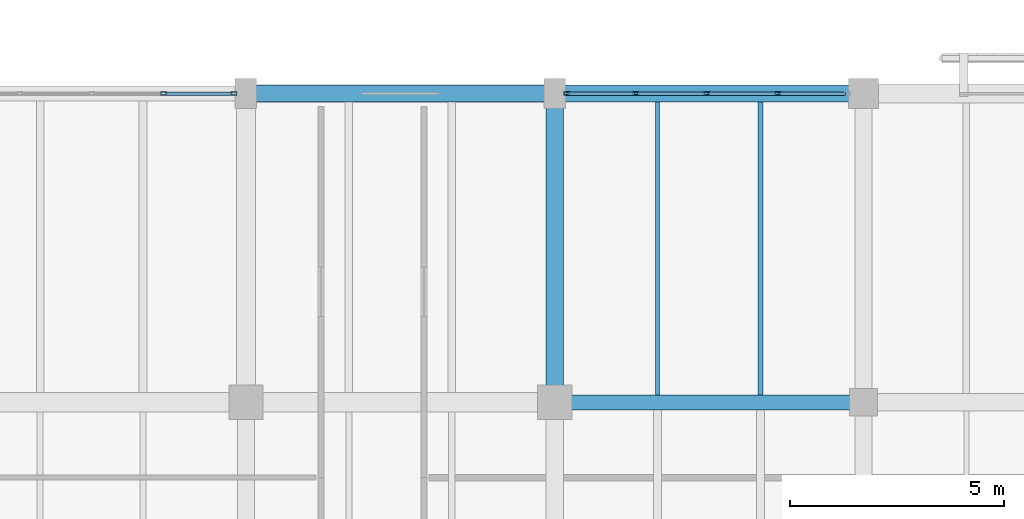
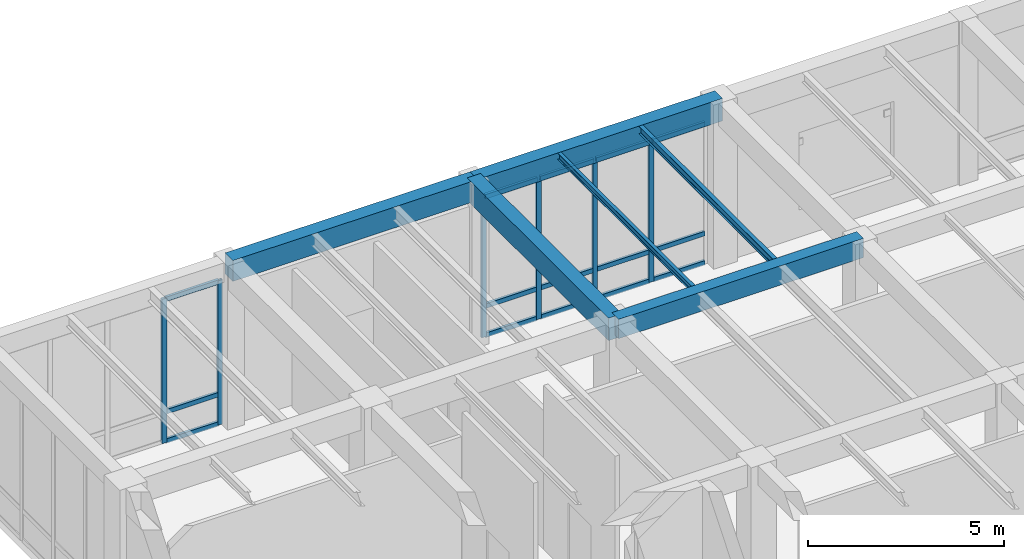
# One storey, part 104 of 169: 21 members, 6 beams, 2 elements without a shape of their own.
"""IFC4 building model written with IfcOpenShell, lengths in metres."""

import ifcopenshell
import ifcopenshell.guid

model = None  # the IFC model being written
_history = None  # IfcOwnerHistory: only IFC2X3 demands one
_inside = {}  # id of a spatial element -> (the spatial element, [elements in it])
_under = {}  # id of a project, library or spatial element -> (it, [spatial elements below it])
_declared = {}  # id of a project -> (the project, [libraries it declares])
_typed = {}  # id of a type object -> (the type object, [elements of that type])
_made_of = {}  # id of a material, layer set ... -> (it, [elements and type objects made of it])


def new_model(schema):
    """Start an empty IFC model of exactly this schema.

    Asked for "IFC4X3", IfcOpenShell would pick the latest addendum, in which some entities
    have other attributes; the version numbers below select the first issue.
    IFC2X3 requires an IfcOwnerHistory on every rooted entity: one is made here for all.
    """
    global model, _history
    if schema == "IFC4X3":
        model = ifcopenshell.file(schema_version=(4, 3, 0, 0))
    else:
        model = ifcopenshell.file(schema=schema)
    _inside.clear()
    _under.clear()
    _declared.clear()
    _typed.clear()
    _made_of.clear()
    _history = None
    if model.schema == "IFC2X3":
        org = make("IfcOrganization", Name="unknown")
        user = make(
            "IfcPersonAndOrganization",
            ThePerson=make("IfcPerson", FamilyName="unknown"),
            TheOrganization=org,
        )
        app = make(
            "IfcApplication",
            ApplicationDeveloper=org,
            Version="unknown",
            ApplicationFullName="unknown",
            ApplicationIdentifier="unknown",
        )
        _history = make(
            "IfcOwnerHistory",
            OwningUser=user,
            OwningApplication=app,
            ChangeAction="ADDED",
            CreationDate=0,
        )
    return model


def make(cls, **values):
    """One entity of the class cls with the attributes given. An attribute that is None is left unset."""
    return model.create_entity(
        cls, **{name: value for name, value in values.items() if value is not None}
    )


def rooted(cls, **values):
    """An entity with a GlobalId (a new one), such as an element, a storey or a relation."""
    return make(cls, GlobalId=ifcopenshell.guid.new(), OwnerHistory=_history, **values)


def si_unit(unit_type, name, prefix=None):
    """IfcSIUnit, for example si_unit("LENGTHUNIT", "METRE", prefix="MILLI")."""
    return make("IfcSIUnit", UnitType=unit_type, Prefix=prefix, Name=name)


def assignment(units):
    """IfcUnitAssignment: the units of a project."""
    return None if units is None else make("IfcUnitAssignment", Units=units)


def point(xyz):
    """IfcCartesianPoint."""
    return None if xyz is None else make("IfcCartesianPoint", Coordinates=xyz)


def direction(xyz):
    """IfcDirection."""
    return None if xyz is None else make("IfcDirection", DirectionRatios=xyz)


def frame(location, z_axis=None, x_axis=None):
    """IfcAxis2Placement3D, a coordinate frame: its origin and axes. An axis left out is left unset."""
    return make(
        "IfcAxis2Placement3D",
        Location=point(location),
        Axis=direction(z_axis),
        RefDirection=direction(x_axis),
    )


def frame_2d(location, x_axis=None):
    """IfcAxis2Placement2D, a coordinate frame in the plane: its origin and x axis."""
    return make(
        "IfcAxis2Placement2D", Location=point(location), RefDirection=direction(x_axis)
    )


def origin():
    """The frame at (0, 0, 0) with its axes left unset."""
    return frame((0.0, 0.0, 0.0))


def origin_2d():
    """The frame at (0, 0) in the plane with its x axis left unset."""
    return frame_2d((0.0, 0.0))


def place(relative_to, where):
    """IfcLocalPlacement: puts the frame where relative to a parent placement (None: the world)."""
    return make(
        "IfcLocalPlacement", PlacementRelTo=relative_to, RelativePlacement=where
    )


def context(
    kind, dimensions, precision=None, world=None, true_north=None, identifier=None
):
    """IfcGeometricRepresentationContext, for example the 3D "Model" context."""
    return make(
        "IfcGeometricRepresentationContext",
        ContextIdentifier=identifier,
        ContextType=kind,
        CoordinateSpaceDimension=dimensions,
        Precision=precision,
        WorldCoordinateSystem=world,
        TrueNorth=true_north,
    )


def subcontext(parent, identifier, kind, view, scale=None):
    """IfcGeometricRepresentationSubContext, for example "Body" below "Model"."""
    return make(
        "IfcGeometricRepresentationSubContext",
        ContextIdentifier=identifier,
        ContextType=kind,
        ParentContext=parent,
        TargetScale=scale,
        TargetView=view,
    )


def project(units=None, contexts=None):
    """IfcProject with its units and contexts."""
    return rooted(
        "IfcProject",
        Name="project",
        RepresentationContexts=contexts,
        UnitsInContext=assignment(units),
    )


def spatial(cls, under=None, at=None, **own):
    """A site, building, storey or space (cls), placed at a placement, below another one or the project."""
    s = rooted(cls, ObjectPlacement=at, **own)
    if under is not None:
        _under.setdefault(under.id(), (under, []))[1].append(s)
    return s


def profile(cls, at=None, kind="AREA", **sizes):
    """A parametric profile (cls). Its sizes go by their IFC names, for example OverallWidth=200.0."""
    return make(cls, ProfileType=kind, Position=at, **sizes)


def rectangle(**sizes):
    """IfcRectangleProfileDef."""
    return profile("IfcRectangleProfileDef", **sizes)


def hollow_rectangle(**sizes):
    """IfcRectangleHollowProfileDef."""
    return profile("IfcRectangleHollowProfileDef", **sizes)


def i_section(**sizes):
    """IfcIShapeProfileDef."""
    return profile("IfcIShapeProfileDef", **sizes)


def extrude(swept, where, along, depth):
    """IfcExtrudedAreaSolid: the profile swept, set in the frame where, extruded along a direction by depth."""
    return make(
        "IfcExtrudedAreaSolid",
        SweptArea=swept,
        Position=where,
        ExtrudedDirection=direction(along),
        Depth=depth,
    )


def shape(context_of_items, identifier, shape_type, items):
    """IfcShapeRepresentation: the items that make up one representation, for example the "Body"."""
    return make(
        "IfcShapeRepresentation",
        ContextOfItems=context_of_items,
        RepresentationIdentifier=identifier,
        RepresentationType=shape_type,
        Items=items,
    )


def material(Name=None, Category=None):
    """IfcMaterial."""
    return make("IfcMaterial", Name=Name, Category=Category)


def layer(
    of_material, thickness, ventilated=None, Name=None, Category=None, Priority=None
):
    """IfcMaterialLayer: one layer of a wall or slab, of a material (None: an air gap)."""
    return make(
        "IfcMaterialLayer",
        Material=of_material,
        LayerThickness=thickness,
        IsVentilated=ventilated,
        Name=Name,
        Category=Category,
        Priority=Priority,
    )


def layer_set(layers, Name=None):
    """IfcMaterialLayerSet."""
    return make("IfcMaterialLayerSet", MaterialLayers=layers, LayerSetName=Name)


def material_profile(
    of_material, cross_section, Name=None, Category=None, Priority=None
):
    """IfcMaterialProfile: a cross section and its material."""
    return make(
        "IfcMaterialProfile",
        Name=Name,
        Material=of_material,
        Profile=cross_section,
        Priority=Priority,
        Category=Category,
    )


def profile_set(profiles, Name=None, composite=None):
    """IfcMaterialProfileSet."""
    return make(
        "IfcMaterialProfileSet",
        Name=Name,
        MaterialProfiles=profiles,
        CompositeProfile=composite,
    )


def made_of(thing, what):
    """Note that an element or type object is made of a material, layer set ...; save() writes the relation."""
    if what is not None:
        _made_of.setdefault(what.id(), (what, []))[1].append(thing)
    return thing


def type_object(cls, material=None, **own):
    """A type object (cls), such as IfcWallType, which elements share."""
    return made_of(rooted(cls, **own), material)


def element(
    cls,
    number,
    at=None,
    inside=None,
    cuts=None,
    type_object=None,
    material=None,
    context=None,
    identifier="Body",
    shape_type=None,
    held_by="IfcProductDefinitionShape",
    body=None,
    shapes=None,
    **own,
):
    """One element of the class cls, such as IfcWall. Its Tag is "e" and its number.

    at: its placement. inside: the storey or other place that contains it. cuts: it is an
    opening in that element (IfcRelVoidsElement). A single representation is given by context,
    identifier, shape_type and body (its items); several are given by shapes. held_by: the class
    of the entity that holds the representations. save() writes the other relations.
    """
    e = rooted(cls, Tag="e%d" % number, ObjectPlacement=at, **own)
    if body is not None:
        shapes = [shape(context, identifier, shape_type, body)]
    if shapes is not None:
        e.Representation = make(held_by, Representations=shapes)
    if inside is not None:
        _inside.setdefault(inside.id(), (inside, []))[1].append(e)
    if cuts is not None:
        rooted(
            "IfcRelVoidsElement", RelatingBuildingElement=cuts, RelatedOpeningElement=e
        )
    if type_object is not None:
        _typed.setdefault(type_object.id(), (type_object, []))[1].append(e)
    return made_of(e, material)


def aggregate(whole, parts):
    """IfcRelAggregates: a whole, such as a stair, and the parts it consists of."""
    return rooted("IfcRelAggregates", RelatingObject=whole, RelatedObjects=parts)


def save(model, path):
    """Write the relations noted so far, then the file.

    IfcRelAggregates (storeys below a building ...), IfcRelContainedInSpatialStructure (elements
    in a storey), IfcRelDefinesByType, IfcRelAssociatesMaterial and IfcRelDeclares: one each for
    every whole, place, type object, material and project.
    """
    for whole, parts in _under.values():
        aggregate(whole, parts)
    for where, things in _inside.values():
        rooted(
            "IfcRelContainedInSpatialStructure",
            RelatedElements=things,
            RelatingStructure=where,
        )
    for kind, things in _typed.values():
        rooted("IfcRelDefinesByType", RelatedObjects=things, RelatingType=kind)
    for what, things in _made_of.values():
        rooted("IfcRelAssociatesMaterial", RelatedObjects=things, RelatingMaterial=what)
    for by, libraries in _declared.values():
        rooted("IfcRelDeclares", RelatingContext=by, RelatedDefinitions=libraries)
    model.write(path)


model = new_model("IFC4")

# Units and contexts
model_context = context("Model", 3, precision=1e-05, world=origin(), true_north=direction((0.0, 1.0)))
body_context = subcontext(model_context, "Body", "Model", "MODEL_VIEW")
ifc_project = project(units=[si_unit("LENGTHUNIT", "METRE"), si_unit("AREAUNIT", "SQUARE_METRE"), si_unit("VOLUMEUNIT", "CUBIC_METRE"), si_unit("PLANEANGLEUNIT", "RADIAN"), si_unit("MASSUNIT", "GRAM", prefix="KILO")], contexts=[model_context])

# Site, building, storey
site_placement = place(None, origin())
site = spatial("IfcSite", under=ifc_project, at=site_placement, CompositionType="ELEMENT")
building_placement = place(site_placement, origin())
building = spatial("IfcBuilding", under=site, at=building_placement, Name="Mazaris Harbour Polytechnic", CompositionType="ELEMENT")
storey_placement = place(building_placement, origin())
storey = spatial("IfcBuildingStorey", under=building, at=storey_placement, Name="L00", CompositionType="ELEMENT", Elevation=0.0)

# Curtain wall, members
ifc_material_1 = material(Name="Anodised Bronze Aluminium and Low-E Glass", Category="aluminium")
ifc_layer = layer(ifc_material_1, 0.169921875, Name="Anodised Bronze Aluminium and Low-E Glass")
ifc_layer_set = layer_set([ifc_layer], Name="Anodised Bronze Aluminium and Low-E Glass")
curtain_wall_type = type_object("IfcCurtainWallType", Name="Studio North-Light Curtain Wall", PredefinedType="NOTDEFINED", material=ifc_layer_set)
curtain_wall_1_placement = place(storey_placement, origin())
curtain_wall_1 = element("IfcCurtainWall", 1, at=curtain_wall_1_placement, inside=storey, type_object=curtain_wall_type, Name="V5 L00 Curtain Wall 183", PredefinedType="NOTDEFINED")
ifc_material_2 = material(Name="Anodised Bronze Steel S355", Category="steel")
ifc_material_profile_1 = material_profile(ifc_material_2, hollow_rectangle(XDim=0.080078125, YDim=0.139892578125, WallThickness=0.00634765625, at=origin_2d()), Name="RHS 80x140x6.3")
ifc_profile_set_1 = profile_set([ifc_material_profile_1], Name="Anodised Bronze Steel S355")
member_type_1 = type_object("IfcMemberType", Name="Curtain Mullion RHS80x140", PredefinedType="MULLION", material=ifc_profile_set_1)
member_1_placement = place(storey_placement, frame((127.678955078125, 108.0, 0.0), z_axis=(0.0, 0.0, 1.0), x_axis=(0.0, 1.0, 0.0)))
member_1 = element("IfcMember", 2, at=member_1_placement, type_object=member_type_1, Name="CW-03 mullion 4", PredefinedType="MULLION", context=body_context, shape_type="SweptSolid", body=[
    extrude(hollow_rectangle(XDim=0.080078125, YDim=0.139892578125, WallThickness=0.00634765625, at=origin_2d()), origin(), (0.0, 0.0, 1.0), 4.489990234375),
])
member_2_placement = place(storey_placement, frame((129.318115234375, 108.0, 0.0), z_axis=(0.0, 0.0, 1.0), x_axis=(0.0, 1.0, 0.0)))
member_2 = element("IfcMember", 3, at=member_2_placement, type_object=member_type_1, Name="CW-03 mullion 5", PredefinedType="MULLION", context=body_context, shape_type="SweptSolid", body=[
    extrude(hollow_rectangle(XDim=0.080078125, YDim=0.139892578125, WallThickness=0.00634765625, at=origin_2d()), origin(), (0.0, 0.0, 1.0), 4.489990234375),
])

curtain_wall_2_placement = place(storey_placement, origin())
curtain_wall_2 = element("IfcCurtainWall", 4, at=curtain_wall_2_placement, inside=storey, type_object=curtain_wall_type, Name="V5 L00 Curtain Wall 184", PredefinedType="NOTDEFINED")
member_3_placement = place(storey_placement, frame((137.08203125, 108.0, 0.0), z_axis=(0.0, 0.0, 1.0), x_axis=(0.0, 1.0, 0.0)))
member_3 = element("IfcMember", 5, at=member_3_placement, type_object=member_type_1, Name="CW-03 mullion 1", PredefinedType="MULLION", context=body_context, shape_type="SweptSolid", body=[
    extrude(hollow_rectangle(XDim=0.080078125, YDim=0.139892578125, WallThickness=0.00634765625, at=origin_2d()), origin(), (0.0, 0.0, 1.0), 4.389892578125),
])
member_4_placement = place(storey_placement, frame((138.696044921875, 108.0, 0.0), z_axis=(0.0, 0.0, 1.0), x_axis=(0.0, 1.0, 0.0)))
member_4 = element("IfcMember", 6, at=member_4_placement, type_object=member_type_1, Name="CW-03 mullion 2", PredefinedType="MULLION", context=body_context, shape_type="SweptSolid", body=[
    extrude(hollow_rectangle(XDim=0.080078125, YDim=0.139892578125, WallThickness=0.00634765625, at=origin_2d()), origin(), (0.0, 0.0, 1.0), 4.389892578125),
])
member_5_placement = place(storey_placement, frame((140.35009765625, 108.0, 0.0), z_axis=(0.0, 0.0, 1.0), x_axis=(0.0, 1.0, 0.0)))
member_5 = element("IfcMember", 7, at=member_5_placement, type_object=member_type_1, Name="CW-03 mullion 3", PredefinedType="MULLION", context=body_context, shape_type="SweptSolid", body=[
    extrude(hollow_rectangle(XDim=0.080078125, YDim=0.139892578125, WallThickness=0.00634765625, at=origin_2d()), origin(), (0.0, 0.0, 1.0), 4.389892578125),
])
member_6_placement = place(storey_placement, frame((142.00390625, 108.0, 0.0), z_axis=(0.0, 0.0, 1.0), x_axis=(0.0, 1.0, 0.0)))
member_6 = element("IfcMember", 8, at=member_6_placement, type_object=member_type_1, Name="CW-03 mullion 4", PredefinedType="MULLION", context=body_context, shape_type="SweptSolid", body=[
    extrude(hollow_rectangle(XDim=0.080078125, YDim=0.139892578125, WallThickness=0.00634765625, at=origin_2d()), origin(), (0.0, 0.0, 1.0), 4.389892578125),
])

# Member
ifc_material_3 = material(Name="Anodised Bronze Steel S355", Category="steel")
ifc_material_profile_2 = material_profile(ifc_material_3, hollow_rectangle(XDim=0.080078125, YDim=0.139892578125, WallThickness=0.00634765625, at=origin_2d()), Name="RHS 80x140x6.3")
ifc_profile_set_2 = profile_set([ifc_material_profile_2], Name="Anodised Bronze Steel S355")
member_type_2 = type_object("IfcMemberType", Name="Curtain Transom RHS80x140", PredefinedType="USERDEFINED", material=ifc_profile_set_2)
member_7_placement = place(storey_placement, frame((127.718994140625, 108.0, 0.0400390625), z_axis=(1.0, 0.0, 0.0), x_axis=(0.0, 1.0, 0.0)))
member_7 = element("IfcMember", 9, at=member_7_placement, type_object=member_type_2, Name="CW-03 transom 4.1", ObjectType="TRANSOM", PredefinedType="USERDEFINED", context=body_context, shape_type="SweptSolid", body=[
    extrude(hollow_rectangle(XDim=0.080078125, YDim=0.139892578125, WallThickness=0.00634765625, at=origin_2d()), origin(), (0.0, 0.0, 1.0), 1.55908203125),
])

member_8_placement = place(storey_placement, frame((127.718994140625, 108.0, 0.949951171875), z_axis=(1.0, 0.0, 0.0), x_axis=(0.0, 1.0, 0.0)))
member_8 = element("IfcMember", 10, at=member_8_placement, type_object=member_type_2, Name="CW-03 transom 4.2", ObjectType="TRANSOM", PredefinedType="USERDEFINED", context=body_context, shape_type="SweptSolid", body=[
    extrude(hollow_rectangle(XDim=0.080078125, YDim=0.139892578125, WallThickness=0.00634765625, at=origin_2d()), origin(), (0.0, 0.0, 1.0), 1.55908203125),
])

member_9_placement = place(storey_placement, frame((127.718994140625, 108.0, 4.449951171875), z_axis=(1.0, 0.0, 0.0), x_axis=(0.0, 1.0, 0.0)))
member_9 = element("IfcMember", 11, at=member_9_placement, type_object=member_type_2, Name="CW-03 transom 4.3", ObjectType="TRANSOM", PredefinedType="USERDEFINED", context=body_context, shape_type="SweptSolid", body=[
    extrude(hollow_rectangle(XDim=0.080078125, YDim=0.139892578125, WallThickness=0.00634765625, at=origin_2d()), origin(), (0.0, 0.0, 1.0), 1.55908203125),
])

aggregate(curtain_wall_1, [member_1, member_2, member_7, member_8, member_9])

member_10_placement = place(storey_placement, frame((137.1220703125, 108.0, 0.0400390625), z_axis=(1.0, 0.0, 0.0), x_axis=(0.0, 1.0, 0.0)))
member_10 = element("IfcMember", 12, at=member_10_placement, type_object=member_type_2, Name="CW-03 transom 1.1", ObjectType="TRANSOM", PredefinedType="USERDEFINED", context=body_context, shape_type="SweptSolid", body=[
    extrude(hollow_rectangle(XDim=0.080078125, YDim=0.139892578125, WallThickness=0.00634765625, at=origin_2d()), origin(), (0.0, 0.0, 1.0), 1.533935546875),
])

member_11_placement = place(storey_placement, frame((137.1220703125, 108.0, 0.949951171875), z_axis=(1.0, 0.0, 0.0), x_axis=(0.0, 1.0, 0.0)))
member_11 = element("IfcMember", 13, at=member_11_placement, type_object=member_type_2, Name="CW-03 transom 1.2", ObjectType="TRANSOM", PredefinedType="USERDEFINED", context=body_context, shape_type="SweptSolid", body=[
    extrude(hollow_rectangle(XDim=0.080078125, YDim=0.139892578125, WallThickness=0.00634765625, at=origin_2d()), origin(), (0.0, 0.0, 1.0), 1.533935546875),
])

member_12_placement = place(storey_placement, frame((137.1220703125, 108.0, 4.35009765625), z_axis=(1.0, 0.0, 0.0), x_axis=(0.0, 1.0, 0.0)))
member_12 = element("IfcMember", 14, at=member_12_placement, type_object=member_type_2, Name="CW-03 transom 1.3", ObjectType="TRANSOM", PredefinedType="USERDEFINED", context=body_context, shape_type="SweptSolid", body=[
    extrude(hollow_rectangle(XDim=0.080078125, YDim=0.139892578125, WallThickness=0.00634765625, at=origin_2d()), origin(), (0.0, 0.0, 1.0), 1.533935546875),
])

member_13_placement = place(storey_placement, frame((138.736083984375, 108.0, 0.0400390625), z_axis=(1.0, 0.0, 0.0), x_axis=(0.0, 1.0, 0.0)))
member_13 = element("IfcMember", 15, at=member_13_placement, type_object=member_type_2, Name="CW-03 transom 2.1", ObjectType="TRANSOM", PredefinedType="USERDEFINED", context=body_context, shape_type="SweptSolid", body=[
    extrude(hollow_rectangle(XDim=0.080078125, YDim=0.139892578125, WallThickness=0.00634765625, at=origin_2d()), origin(), (0.0, 0.0, 1.0), 1.573974609375),
])

member_14_placement = place(storey_placement, frame((138.736083984375, 108.0, 0.949951171875), z_axis=(1.0, 0.0, 0.0), x_axis=(0.0, 1.0, 0.0)))
member_14 = element("IfcMember", 16, at=member_14_placement, type_object=member_type_2, Name="CW-03 transom 2.2", ObjectType="TRANSOM", PredefinedType="USERDEFINED", context=body_context, shape_type="SweptSolid", body=[
    extrude(hollow_rectangle(XDim=0.080078125, YDim=0.139892578125, WallThickness=0.00634765625, at=origin_2d()), origin(), (0.0, 0.0, 1.0), 1.573974609375),
])

member_15_placement = place(storey_placement, frame((138.736083984375, 108.0, 4.35009765625), z_axis=(1.0, 0.0, 0.0), x_axis=(0.0, 1.0, 0.0)))
member_15 = element("IfcMember", 17, at=member_15_placement, type_object=member_type_2, Name="CW-03 transom 2.3", ObjectType="TRANSOM", PredefinedType="USERDEFINED", context=body_context, shape_type="SweptSolid", body=[
    extrude(hollow_rectangle(XDim=0.080078125, YDim=0.139892578125, WallThickness=0.00634765625, at=origin_2d()), origin(), (0.0, 0.0, 1.0), 1.573974609375),
])

member_16_placement = place(storey_placement, frame((140.389892578125, 108.0, 0.0400390625), z_axis=(1.0, 0.0, 0.0), x_axis=(0.0, 1.0, 0.0)))
member_16 = element("IfcMember", 18, at=member_16_placement, type_object=member_type_2, Name="CW-03 transom 3.1", ObjectType="TRANSOM", PredefinedType="USERDEFINED", context=body_context, shape_type="SweptSolid", body=[
    extrude(hollow_rectangle(XDim=0.080078125, YDim=0.139892578125, WallThickness=0.00634765625, at=origin_2d()), origin(), (0.0, 0.0, 1.0), 1.57421875),
])

member_17_placement = place(storey_placement, frame((140.389892578125, 108.0, 0.949951171875), z_axis=(1.0, 0.0, 0.0), x_axis=(0.0, 1.0, 0.0)))
member_17 = element("IfcMember", 19, at=member_17_placement, type_object=member_type_2, Name="CW-03 transom 3.2", ObjectType="TRANSOM", PredefinedType="USERDEFINED", context=body_context, shape_type="SweptSolid", body=[
    extrude(hollow_rectangle(XDim=0.080078125, YDim=0.139892578125, WallThickness=0.00634765625, at=origin_2d()), origin(), (0.0, 0.0, 1.0), 1.57421875),
])

member_18_placement = place(storey_placement, frame((140.389892578125, 108.0, 4.35009765625), z_axis=(1.0, 0.0, 0.0), x_axis=(0.0, 1.0, 0.0)))
member_18 = element("IfcMember", 20, at=member_18_placement, type_object=member_type_2, Name="CW-03 transom 3.3", ObjectType="TRANSOM", PredefinedType="USERDEFINED", context=body_context, shape_type="SweptSolid", body=[
    extrude(hollow_rectangle(XDim=0.080078125, YDim=0.139892578125, WallThickness=0.00634765625, at=origin_2d()), origin(), (0.0, 0.0, 1.0), 1.57421875),
])

member_19_placement = place(storey_placement, frame((142.0439453125, 108.0, 0.0400390625), z_axis=(1.0, 0.0, 0.0), x_axis=(0.0, 1.0, 0.0)))
member_19 = element("IfcMember", 21, at=member_19_placement, type_object=member_type_2, Name="CW-03 transom 4.1", ObjectType="TRANSOM", PredefinedType="USERDEFINED", context=body_context, shape_type="SweptSolid", body=[
    extrude(hollow_rectangle(XDim=0.080078125, YDim=0.139892578125, WallThickness=0.00634765625, at=origin_2d()), origin(), (0.0, 0.0, 1.0), 1.533935546875),
])

member_20_placement = place(storey_placement, frame((142.0439453125, 108.0, 0.949951171875), z_axis=(1.0, 0.0, 0.0), x_axis=(0.0, 1.0, 0.0)))
member_20 = element("IfcMember", 22, at=member_20_placement, type_object=member_type_2, Name="CW-03 transom 4.2", ObjectType="TRANSOM", PredefinedType="USERDEFINED", context=body_context, shape_type="SweptSolid", body=[
    extrude(hollow_rectangle(XDim=0.080078125, YDim=0.139892578125, WallThickness=0.00634765625, at=origin_2d()), origin(), (0.0, 0.0, 1.0), 1.533935546875),
])

member_21_placement = place(storey_placement, frame((142.0439453125, 108.0, 4.35009765625), z_axis=(1.0, 0.0, 0.0), x_axis=(0.0, 1.0, 0.0)))
member_21 = element("IfcMember", 23, at=member_21_placement, type_object=member_type_2, Name="CW-03 transom 4.3", ObjectType="TRANSOM", PredefinedType="USERDEFINED", context=body_context, shape_type="SweptSolid", body=[
    extrude(hollow_rectangle(XDim=0.080078125, YDim=0.139892578125, WallThickness=0.00634765625, at=origin_2d()), origin(), (0.0, 0.0, 1.0), 1.533935546875),
])

aggregate(curtain_wall_2, [member_3, member_4, member_5, member_6, member_10, member_11, member_12, member_13, member_14, member_15, member_16, member_17, member_18, member_19, member_20, member_21])

# Beams
ifc_material_4 = material(Name="Concrete C35/45", Category="concrete")
ifc_material_profile_3 = material_profile(ifc_material_4, rectangle(XDim=0.35009765625, YDim=0.60009765625, at=origin_2d()), Name="RECT350x600")
ifc_profile_set_3 = profile_set([ifc_material_profile_3], Name="Concrete C35/45")
beam_type_1 = type_object("IfcBeamType", Name="RC Girder 350x600", PredefinedType="BEAM", material=ifc_profile_set_3)
beam_1_placement = place(storey_placement, frame((136.800048828125, 100.800048828125, 4.800048828125), z_axis=(1.0, 0.0, 0.0), x_axis=(0.0, 1.0, 0.0)))
element("IfcBeam", 24, at=beam_1_placement, inside=storey, type_object=beam_type_1, Name="V5 L00 Girder 2745", PredefinedType="BEAM", context=body_context, shape_type="SweptSolid", body=[
    extrude(rectangle(XDim=0.35009765625, YDim=0.60009765625, at=origin_2d()), origin(), (0.0, 0.0, 1.0), 7.199951171875),
])
ifc_material_5 = material(Name="Concrete C35/45", Category="concrete")
ifc_material_profile_4 = material_profile(ifc_material_5, rectangle(XDim=0.39990234375, YDim=0.64990234375, at=origin_2d()), Name="RECT400x650")
ifc_profile_set_4 = profile_set([ifc_material_profile_4], Name="Concrete C35/45")
beam_type_2 = type_object("IfcBeamType", Name="RC Girder 400x650 Exterior", PredefinedType="BEAM", material=ifc_profile_set_4)
beam_2_placement = place(storey_placement, frame((129.60009765625, 108.0, 4.77490234375), z_axis=(1.0, 0.0, 0.0), x_axis=(0.0, 1.0, 0.0)))
element("IfcBeam", 25, at=beam_2_placement, inside=storey, type_object=beam_type_2, Name="V5 L00 Girder 2751", PredefinedType="BEAM", context=body_context, shape_type="SweptSolid", body=[
    extrude(rectangle(XDim=0.39990234375, YDim=0.64990234375, at=origin_2d()), origin(), (0.0, 0.0, 1.0), 7.199951171875),
])
ifc_material_6 = material(Name="Concrete C35/45", Category="concrete")
ifc_material_profile_5 = material_profile(ifc_material_6, rectangle(XDim=0.39990234375, YDim=0.699951171875, at=origin_2d()), Name="RECT400x700")
ifc_profile_set_5 = profile_set([ifc_material_profile_5], Name="Concrete C35/45")
beam_type_3 = type_object("IfcBeamType", Name="RC Girder 400x700", PredefinedType="BEAM", material=ifc_profile_set_5)
beam_3_placement = place(storey_placement, frame((136.800048828125, 100.800048828125, 4.75), z_axis=(0.0, 1.0, 0.0), x_axis=(-1.0, 0.0, 0.0)))
element("IfcBeam", 26, at=beam_3_placement, inside=storey, type_object=beam_type_3, Name="V5 L00 Tie Girder 2782", PredefinedType="BEAM", context=body_context, shape_type="SweptSolid", body=[
    extrude(rectangle(XDim=0.39990234375, YDim=0.699951171875, at=origin_2d()), origin(), (0.0, 0.0, 1.0), 7.199951171875),
])
ifc_material_7 = material(Name="Concrete C35/45", Category="concrete")
ifc_material_profile_6 = material_profile(ifc_material_7, rectangle(XDim=0.39990234375, YDim=0.699951171875, at=origin_2d()), Name="RECT400x700")
ifc_profile_set_6 = profile_set([ifc_material_profile_6], Name="Concrete C35/45")
beam_type_4 = type_object("IfcBeamType", Name="RC Girder 400x700 Exterior", PredefinedType="BEAM", material=ifc_profile_set_6)
beam_4_placement = place(storey_placement, frame((136.800048828125, 108.0, 4.75), z_axis=(1.0, 0.0, 0.0), x_axis=(0.0, 1.0, 0.0)))
element("IfcBeam", 27, at=beam_4_placement, inside=storey, type_object=beam_type_4, Name="V5 L00 Girder 2752", PredefinedType="BEAM", context=body_context, shape_type="SweptSolid", body=[
    extrude(rectangle(XDim=0.39990234375, YDim=0.699951171875, at=origin_2d()), origin(), (0.0, 0.0, 1.0), 7.199951171875),
])
ifc_material_8 = material(Name="Steel S355", Category="steel")
ifc_material_profile_7 = material_profile(ifc_material_8, i_section(OverallWidth=0.10009765625, OverallDepth=0.199951171875, WebThickness=0.005615234375, FlangeThickness=0.008544921875, FilletRadius=0.011962890625, at=origin_2d()), Name="IPE 200")
ifc_profile_set_7 = profile_set([ifc_material_profile_7], Name="Steel S355")
beam_type_5 = type_object("IfcBeamType", Name="Steel Joist IPE200", PredefinedType="JOIST", material=ifc_profile_set_7)
beam_5_placement = place(storey_placement, frame((139.199951171875, 100.97509765625, 5.0), z_axis=(0.0, 1.0, 0.0), x_axis=(-1.0, 0.0, 0.0)))
element("IfcBeam", 28, at=beam_5_placement, inside=storey, type_object=beam_type_5, Name="V5 L00 Floor Joist 2856", PredefinedType="JOIST", context=body_context, shape_type="SweptSolid", body=[
    extrude(i_section(OverallWidth=0.10009765625, OverallDepth=0.199951171875, WebThickness=0.005615234375, FlangeThickness=0.008544921875, FilletRadius=0.011962890625, at=origin_2d()), origin(), (0.0, 0.0, 1.0), 6.824951171875),
])
ifc_material_9 = material(Name="Steel S355", Category="steel")
ifc_material_profile_8 = material_profile(ifc_material_9, i_section(OverallWidth=0.1201171875, OverallDepth=0.239990234375, WebThickness=0.006103515625, FlangeThickness=0.009765625, FilletRadius=0.014892578125, at=origin_2d()), Name="IPE 240")
ifc_profile_set_8 = profile_set([ifc_material_profile_8], Name="Steel S355")
beam_type_6 = type_object("IfcBeamType", Name="Steel Joist IPE240", PredefinedType="JOIST", material=ifc_profile_set_8)
beam_6_placement = place(storey_placement, frame((141.60009765625, 100.97509765625, 4.97998046875), z_axis=(0.0, 1.0, 0.0), x_axis=(-1.0, 0.0, 0.0)))
element("IfcBeam", 29, at=beam_6_placement, inside=storey, type_object=beam_type_6, Name="V5 L00 Floor Joist 2857", PredefinedType="JOIST", context=body_context, shape_type="SweptSolid", body=[
    extrude(i_section(OverallWidth=0.1201171875, OverallDepth=0.239990234375, WebThickness=0.006103515625, FlangeThickness=0.009765625, FilletRadius=0.014892578125, at=origin_2d()), origin(), (0.0, 0.0, 1.0), 6.824951171875),
])

save(model, "model.ifc")
